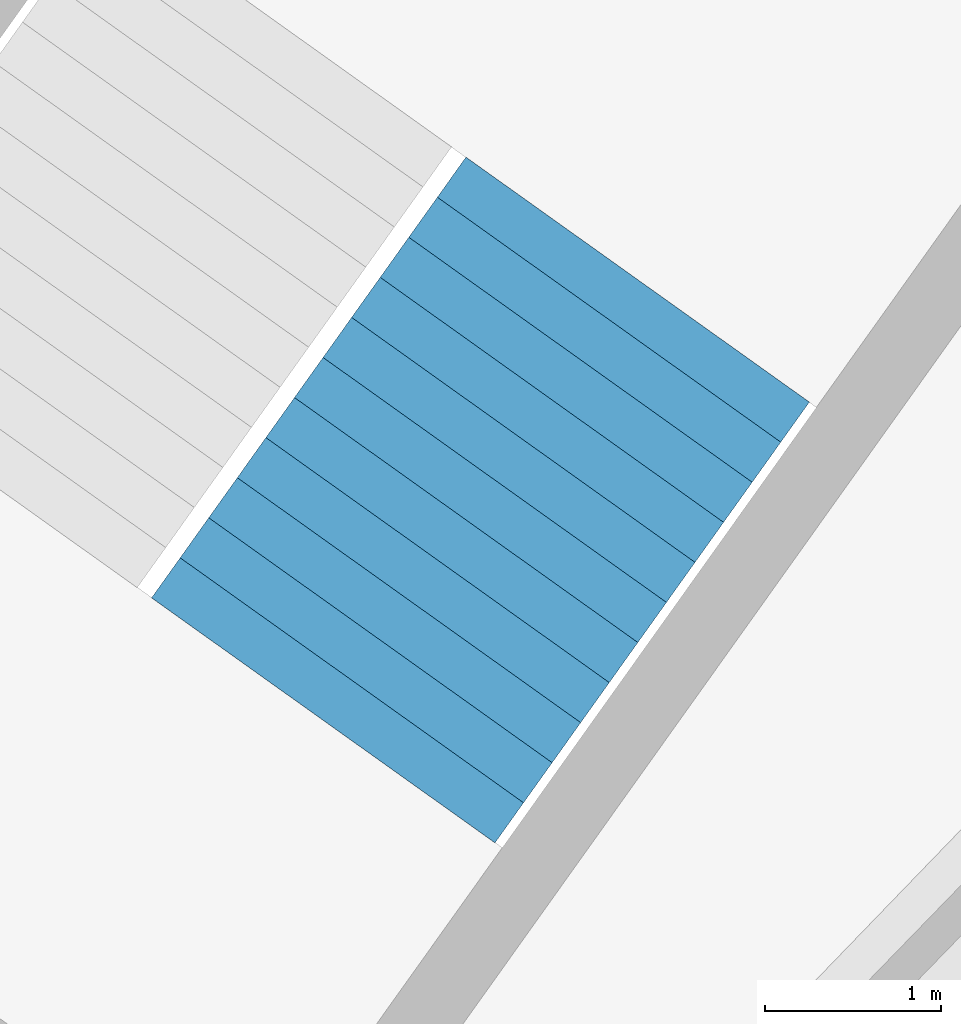
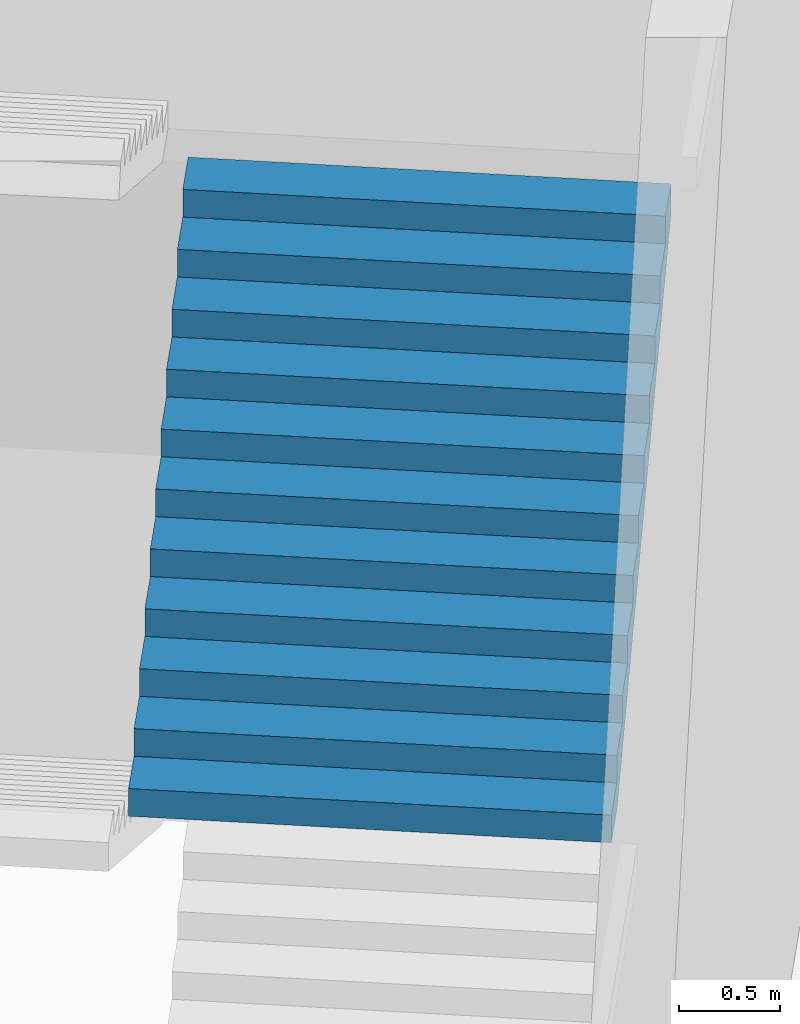
# One storey, part 71 of 74: 1 stair flight, 1 element without a shape of its own.
"""IFC4 building model written with IfcOpenShell, lengths in metres."""

from ifc_helpers import new_model, si_unit, direction, frame, origin, place, context, subcontext, project, spatial, triangles, material, type_object, element, aggregate, save


model = new_model("IFC4")

# Units and contexts
model_context = context("Model", 3, precision=1e-05, world=origin(), true_north=direction((0.0, 1.0)))
body_context = subcontext(model_context, "Body", "Model", "MODEL_VIEW")
ifc_project = project(units=[si_unit("LENGTHUNIT", "METRE"), si_unit("AREAUNIT", "SQUARE_METRE"), si_unit("VOLUMEUNIT", "CUBIC_METRE"), si_unit("PLANEANGLEUNIT", "RADIAN"), si_unit("MASSUNIT", "GRAM", prefix="KILO")], contexts=[model_context])

# Site, building, storey
site_placement = place(None, origin())
site = spatial("IfcSite", under=ifc_project, at=site_placement, CompositionType="ELEMENT")
building_placement = place(site_placement, origin())
building = spatial("IfcBuilding", under=site, at=building_placement, Name="Lantaw Convention Tower", CompositionType="ELEMENT")
storey_placement = place(building_placement, frame((0.0, 0.0, 6.5)))
storey = spatial("IfcBuildingStorey", under=building, at=storey_placement, Name="L01", CompositionType="ELEMENT", Elevation=6.5)

# Stair, stair flight
ifc_material = material(Name="Concrete C35/45", Category="concrete")
stair_type = type_object("IfcStairType", Name="Exit stair 2400 riser 166.67 in 4 flights", PredefinedType="HALF_TURN_STAIR", material=ifc_material)
stair_placement = place(storey_placement, origin())
stair = element("IfcStair", 1, at=stair_placement, inside=storey, type_object=stair_type, Name="Podium exit stair P4 L01", PredefinedType="HALF_TURN_STAIR")
stair_flight_type = type_object("IfcStairFlightType", Name="Stair flight 2400 riser 166.67", PredefinedType="STRAIGHT", material=ifc_material)
stair_flight_placement = place(storey_placement, frame((19.005615234375, 24.4921875, 4.0), z_axis=(0.0, 0.0, 1.0), x_axis=(0.580702955711, 0.814115518356, 0.0)))
stair_flight = element("IfcStairFlight", 2, at=stair_flight_placement, type_object=stair_flight_type, Name="P4 flight 3", NumberOfRisers=12, NumberOfTreads=11, PredefinedType="STRAIGHT", RiserHeight=0.166666667, TreadLength=0.28, context=body_context, shape_type="Tessellation", body=[
    triangles([(0.0, 1.199951171875, 0.0), (0.0, 1.199951171875, 0.166666667), (0.28, 1.199951171875, 0.0), (0.28, 1.199951171875, 0.166666667), (0.28, 1.199951171875, 0.333333334), (0.29307345806906726, 1.199951171875, 0.0), (0.29307345806906726, 1.199951171875, 0.333333334), (0.56, 1.199951171875, 0.15888484670522965), (0.56, 1.199951171875, 0.333333334), (0.56, 1.199951171875, 0.500000001), (0.8400000000000001, 1.199951171875, 0.3255515137052296), (0.8400000000000001, 1.199951171875, 0.500000001), (0.8400000000000001, 1.199951171875, 0.666666668), (1.12, 1.199951171875, 0.4922181807052296), (1.12, 1.199951171875, 0.666666668), (1.12, 1.199951171875, 0.833333335), (1.4000000000000001, 1.199951171875, 0.6588848477052296), (1.4000000000000001, 1.199951171875, 0.833333335), (1.4000000000000001, 1.199951171875, 1.000000002), (1.6800000000000002, 1.199951171875, 0.8255515147052296), (1.6800000000000002, 1.199951171875, 1.000000002), (1.6800000000000002, 1.199951171875, 1.166666669), (1.9600000000000002, 1.199951171875, 0.9922181817052296), (1.9600000000000002, 1.199951171875, 1.166666669), (1.9600000000000002, 1.199951171875, 1.333333336), (2.24, 1.199951171875, 1.1588848487052295), (2.24, 1.199951171875, 1.333333336), (2.24, 1.199951171875, 1.5000000029999998), (2.5200000000000005, 1.199951171875, 1.3255515157052296), (2.5200000000000005, 1.199951171875, 1.5000000029999998), (2.5200000000000005, 1.199951171875, 1.66666667), (2.8000000000000003, 1.199951171875, 1.4922181827052294), (2.8000000000000003, 1.199951171875, 1.66666667), (2.8000000000000003, 1.199951171875, 1.833333337), (3.08, 1.199951171875, 1.6588848497052293), (3.08, 1.199951171875, 1.833333337), (0.0, -1.199951171875, 0.0), (0.0, -1.199951171875, 0.166666667), (0.28, -1.199951171875, 0.0), (0.28, -1.199951171875, 0.166666667), (0.28, -1.199951171875, 0.333333334), (0.29307345806906726, -1.199951171875, 0.0), (0.29307345806906726, -1.199951171875, 0.333333334), (0.56, -1.199951171875, 0.15888484670522965), (0.56, -1.199951171875, 0.333333334), (0.56, -1.199951171875, 0.500000001), (0.8400000000000001, -1.199951171875, 0.3255515137052296), (0.8400000000000001, -1.199951171875, 0.500000001), (0.8400000000000001, -1.199951171875, 0.666666668), (1.12, -1.199951171875, 0.4922181807052296), (1.12, -1.199951171875, 0.666666668), (1.12, -1.199951171875, 0.833333335), (1.4000000000000001, -1.199951171875, 0.6588848477052296), (1.4000000000000001, -1.199951171875, 0.833333335), (1.4000000000000001, -1.199951171875, 1.000000002), (1.6800000000000002, -1.199951171875, 0.8255515147052296), (1.6800000000000002, -1.199951171875, 1.000000002), (1.6800000000000002, -1.199951171875, 1.166666669), (1.9600000000000002, -1.199951171875, 0.9922181817052296), (1.9600000000000002, -1.199951171875, 1.166666669), (1.9600000000000002, -1.199951171875, 1.333333336), (2.24, -1.199951171875, 1.1588848487052295), (2.24, -1.199951171875, 1.333333336), (2.24, -1.199951171875, 1.5000000029999998), (2.5200000000000005, -1.199951171875, 1.3255515157052296), (2.5200000000000005, -1.199951171875, 1.5000000029999998), (2.5200000000000005, -1.199951171875, 1.66666667), (2.8000000000000003, -1.199951171875, 1.4922181827052294), (2.8000000000000003, -1.199951171875, 1.66666667), (2.8000000000000003, -1.199951171875, 1.833333337), (3.08, -1.199951171875, 1.6588848497052293), (3.08, -1.199951171875, 1.833333337), (0.0, 0.239990234375, 0.166666667), (0.0, 0.239990234375, 0.0), (0.0, 0.1199951171875, 0.166666667), (0.0, 0.1199951171875, 0.0), (0.0, 0.0, 0.166666667), (0.0, 0.0, 0.0), (0.0, -0.1199951171875, 0.166666667), (0.0, -0.1199951171875, 0.0), (0.0, -0.239990234375, 0.166666667), (0.0, -0.239990234375, 0.0), (0.28, 0.239990234375, 0.333333334), (0.28, 0.239990234375, 0.166666667), (0.28, 0.1199951171875, 0.333333334), (0.28, 0.1199951171875, 0.166666667), (0.28, 0.0, 0.333333334), (0.28, 0.0, 0.166666667), (0.28, -0.1199951171875, 0.333333334), (0.28, -0.1199951171875, 0.166666667), (0.28, -0.239990234375, 0.333333334), (0.28, -0.239990234375, 0.166666667), (0.56, 0.239990234375, 0.500000001), (0.56, 0.239990234375, 0.333333334), (0.56, 0.1199951171875, 0.500000001), (0.56, 0.1199951171875, 0.333333334), (0.56, 0.0, 0.500000001), (0.56, 0.0, 0.333333334), (0.56, -0.1199951171875, 0.500000001), (0.56, -0.1199951171875, 0.333333334), (0.56, -0.239990234375, 0.500000001), (0.56, -0.239990234375, 0.333333334), (0.8400000000000001, 0.239990234375, 0.666666668), (0.8400000000000001, 0.239990234375, 0.500000001), (0.8400000000000001, 0.1199951171875, 0.666666668), (0.8400000000000001, 0.1199951171875, 0.500000001), (0.8400000000000001, 0.0, 0.666666668), (0.8400000000000001, 0.0, 0.500000001), (0.8400000000000001, -0.1199951171875, 0.666666668), (0.8400000000000001, -0.1199951171875, 0.500000001), (0.8400000000000001, -0.239990234375, 0.666666668), (0.8400000000000001, -0.239990234375, 0.500000001), (1.12, 0.239990234375, 0.833333335), (1.12, 0.239990234375, 0.666666668), (1.12, 0.1199951171875, 0.833333335), (1.12, 0.1199951171875, 0.666666668), (1.12, 0.0, 0.833333335), (1.12, 0.0, 0.666666668), (1.12, -0.1199951171875, 0.833333335), (1.12, -0.1199951171875, 0.666666668), (1.12, -0.239990234375, 0.833333335), (1.12, -0.239990234375, 0.666666668), (1.4000000000000001, 0.239990234375, 1.000000002), (1.4000000000000001, 0.239990234375, 0.833333335), (1.4000000000000001, 0.1199951171875, 1.000000002), (1.4000000000000001, 0.1199951171875, 0.833333335), (1.4000000000000001, 0.0, 1.000000002), (1.4000000000000001, 0.0, 0.833333335), (1.4000000000000001, -0.1199951171875, 1.000000002), (1.4000000000000001, -0.1199951171875, 0.833333335), (1.4000000000000001, -0.239990234375, 1.000000002), (1.4000000000000001, -0.239990234375, 0.833333335), (1.6800000000000002, 0.239990234375, 1.166666669), (1.6800000000000002, 0.239990234375, 1.000000002), (1.6800000000000002, 0.1199951171875, 1.166666669), (1.6800000000000002, 0.1199951171875, 1.000000002), (1.6800000000000002, 0.0, 1.166666669), (1.6800000000000002, 0.0, 1.000000002), (1.6800000000000002, -0.1199951171875, 1.166666669), (1.6800000000000002, -0.1199951171875, 1.000000002), (1.6800000000000002, -0.239990234375, 1.166666669), (1.6800000000000002, -0.239990234375, 1.000000002), (1.9600000000000002, 0.239990234375, 1.333333336), (1.9600000000000002, 0.239990234375, 1.166666669), (1.9600000000000002, 0.1199951171875, 1.333333336), (1.9600000000000002, 0.1199951171875, 1.166666669), (1.9600000000000002, 0.0, 1.333333336), (1.9600000000000002, 0.0, 1.166666669), (1.9600000000000002, -0.1199951171875, 1.333333336), (1.9600000000000002, -0.1199951171875, 1.166666669), (1.9600000000000002, -0.239990234375, 1.333333336), (1.9600000000000002, -0.239990234375, 1.166666669), (2.24, 0.239990234375, 1.5000000029999998), (2.24, 0.239990234375, 1.333333336), (2.24, 0.1199951171875, 1.5000000029999998), (2.24, 0.1199951171875, 1.333333336), (2.24, 0.0, 1.5000000029999998), (2.24, 0.0, 1.333333336), (2.24, -0.1199951171875, 1.5000000029999998), (2.24, -0.1199951171875, 1.333333336), (2.24, -0.239990234375, 1.5000000029999998), (2.24, -0.239990234375, 1.333333336), (2.5200000000000005, 0.239990234375, 1.66666667), (2.5200000000000005, 0.239990234375, 1.5000000029999998), (2.5200000000000005, 0.1199951171875, 1.66666667), (2.5200000000000005, 0.1199951171875, 1.5000000029999998), (2.5200000000000005, 0.0, 1.66666667), (2.5200000000000005, 0.0, 1.5000000029999998), (2.5200000000000005, -0.1199951171875, 1.66666667), (2.5200000000000005, -0.1199951171875, 1.5000000029999998), (2.5200000000000005, -0.239990234375, 1.66666667), (2.5200000000000005, -0.239990234375, 1.5000000029999998), (2.8000000000000003, 0.239990234375, 1.833333337), (2.8000000000000003, 0.239990234375, 1.66666667), (2.8000000000000003, 0.1199951171875, 1.833333337), (2.8000000000000003, 0.1199951171875, 1.66666667), (2.8000000000000003, 0.0, 1.833333337), (2.8000000000000003, 0.0, 1.66666667), (2.8000000000000003, -0.1199951171875, 1.833333337), (2.8000000000000003, -0.1199951171875, 1.66666667), (2.8000000000000003, -0.239990234375, 1.833333337), (2.8000000000000003, -0.239990234375, 1.66666667), (0.29307345806906726, 0.239990234375, 0.333333334), (0.29307345806906726, 0.1199951171875, 0.333333334), (0.29307345806906726, 0.0, 0.333333334), (0.29307345806906726, -0.1199951171875, 0.333333334), (0.29307345806906726, -0.239990234375, 0.333333334), (3.08, 0.239990234375, 1.833333337), (3.08, 0.1199951171875, 1.833333337), (3.08, 0.0, 1.833333337), (3.08, -0.1199951171875, 1.833333337), (3.08, -0.239990234375, 1.833333337), (3.08, 0.239990234375, 1.6588848497052293), (3.08, 0.1199951171875, 1.6588848497052293), (3.08, 0.0, 1.6588848497052293), (3.08, -0.1199951171875, 1.6588848497052293), (3.08, -0.239990234375, 1.6588848497052293), (2.8000000000000003, 0.239990234375, 1.4922181827052294), (2.8000000000000003, 0.1199951171875, 1.4922181827052294), (2.8000000000000003, 0.0, 1.4922181827052294), (2.8000000000000003, -0.1199951171875, 1.4922181827052294), (2.8000000000000003, -0.239990234375, 1.4922181827052294), (2.5200000000000005, 0.239990234375, 1.3255515157052296), (2.5200000000000005, 0.1199951171875, 1.3255515157052296), (2.5200000000000005, 0.0, 1.3255515157052296), (2.5200000000000005, -0.1199951171875, 1.3255515157052296), (2.5200000000000005, -0.239990234375, 1.3255515157052296), (2.24, 0.239990234375, 1.1588848487052295), (2.24, 0.1199951171875, 1.1588848487052295), (2.24, 0.0, 1.1588848487052295), (2.24, -0.1199951171875, 1.1588848487052295), (2.24, -0.239990234375, 1.1588848487052295), (1.9600000000000002, 0.239990234375, 0.9922181817052296), (1.9600000000000002, 0.1199951171875, 0.9922181817052296), (1.9600000000000002, 0.0, 0.9922181817052296), (1.9600000000000002, -0.1199951171875, 0.9922181817052296), (1.9600000000000002, -0.239990234375, 0.9922181817052296), (1.6800000000000002, 0.239990234375, 0.8255515147052296), (1.6800000000000002, 0.1199951171875, 0.8255515147052296), (1.6800000000000002, 0.0, 0.8255515147052296), (1.6800000000000002, -0.1199951171875, 0.8255515147052296), (1.6800000000000002, -0.239990234375, 0.8255515147052296), (1.4000000000000001, 0.239990234375, 0.6588848477052296), (1.4000000000000001, 0.1199951171875, 0.6588848477052296), (1.4000000000000001, 0.0, 0.6588848477052296), (1.4000000000000001, -0.1199951171875, 0.6588848477052296), (1.4000000000000001, -0.239990234375, 0.6588848477052296), (1.12, 0.239990234375, 0.4922181807052296), (1.12, 0.1199951171875, 0.4922181807052296), (1.12, 0.0, 0.4922181807052296), (1.12, -0.1199951171875, 0.4922181807052296), (1.12, -0.239990234375, 0.4922181807052296), (0.8400000000000001, 0.239990234375, 0.3255515137052296), (0.8400000000000001, 0.1199951171875, 0.3255515137052296), (0.8400000000000001, 0.0, 0.3255515137052296), (0.8400000000000001, -0.1199951171875, 0.3255515137052296), (0.8400000000000001, -0.239990234375, 0.3255515137052296), (0.56, 0.239990234375, 0.15888484670522965), (0.56, 0.1199951171875, 0.15888484670522965), (0.56, 0.0, 0.15888484670522965), (0.56, -0.1199951171875, 0.15888484670522965), (0.56, -0.239990234375, 0.15888484670522965), (0.29307345806906726, 0.239990234375, 0.0), (0.29307345806906726, 0.1199951171875, 0.0), (0.29307345806906726, 0.0, 0.0), (0.29307345806906726, -0.1199951171875, 0.0), (0.29307345806906726, -0.239990234375, 0.0), (0.28, 0.239990234375, 0.0), (0.28, 0.1199951171875, 0.0), (0.28, 0.0, 0.0), (0.28, -0.1199951171875, 0.0), (0.28, -0.239990234375, 0.0)], [[1, 4, 3], [1, 2, 4], [3, 4, 6], [4, 7, 6], [4, 5, 7], [6, 9, 8], [6, 7, 9], [8, 9, 11], [9, 12, 11], [9, 10, 12], [11, 12, 14], [12, 15, 14], [12, 13, 15], [14, 15, 17], [15, 18, 17], [15, 16, 18], [17, 18, 20], [18, 21, 20], [18, 19, 21], [20, 21, 23], [21, 24, 23], [21, 22, 24], [23, 24, 26], [24, 27, 26], [24, 25, 27], [26, 27, 29], [27, 30, 29], [27, 28, 30], [29, 30, 32], [30, 33, 32], [30, 31, 33], [32, 33, 35], [33, 36, 35], [33, 34, 36], [37, 39, 40], [37, 40, 38], [39, 42, 40], [40, 42, 43], [40, 43, 41], [42, 44, 45], [42, 45, 43], [44, 47, 45], [45, 47, 48], [45, 48, 46], [47, 50, 48], [48, 50, 51], [48, 51, 49], [50, 53, 51], [51, 53, 54], [51, 54, 52], [53, 56, 54], [54, 56, 57], [54, 57, 55], [56, 59, 57], [57, 59, 60], [57, 60, 58], [59, 62, 60], [60, 62, 63], [60, 63, 61], [62, 65, 63], [63, 65, 66], [63, 66, 64], [65, 68, 66], [66, 68, 69], [66, 69, 67], [68, 71, 69], [69, 71, 72], [69, 72, 70], [1, 73, 2], [1, 74, 73], [74, 75, 73], [74, 76, 75], [76, 77, 75], [76, 78, 77], [78, 79, 77], [78, 80, 79], [80, 81, 79], [80, 82, 81], [82, 38, 81], [82, 37, 38], [4, 83, 5], [4, 84, 83], [84, 85, 83], [84, 86, 85], [86, 87, 85], [86, 88, 87], [88, 89, 87], [88, 90, 89], [90, 91, 89], [90, 92, 91], [92, 41, 91], [92, 40, 41], [9, 93, 10], [9, 94, 93], [94, 95, 93], [94, 96, 95], [96, 97, 95], [96, 98, 97], [98, 99, 97], [98, 100, 99], [100, 101, 99], [100, 102, 101], [102, 46, 101], [102, 45, 46], [12, 103, 13], [12, 104, 103], [104, 105, 103], [104, 106, 105], [106, 107, 105], [106, 108, 107], [108, 109, 107], [108, 110, 109], [110, 111, 109], [110, 112, 111], [112, 49, 111], [112, 48, 49], [15, 113, 16], [15, 114, 113], [114, 115, 113], [114, 116, 115], [116, 117, 115], [116, 118, 117], [118, 119, 117], [118, 120, 119], [120, 121, 119], [120, 122, 121], [122, 52, 121], [122, 51, 52], [18, 123, 19], [18, 124, 123], [124, 125, 123], [124, 126, 125], [126, 127, 125], [126, 128, 127], [128, 129, 127], [128, 130, 129], [130, 131, 129], [130, 132, 131], [132, 55, 131], [132, 54, 55], [21, 133, 22], [21, 134, 133], [134, 135, 133], [134, 136, 135], [136, 137, 135], [136, 138, 137], [138, 139, 137], [138, 140, 139], [140, 141, 139], [140, 142, 141], [142, 58, 141], [142, 57, 58], [24, 143, 25], [24, 144, 143], [144, 145, 143], [144, 146, 145], [146, 147, 145], [146, 148, 147], [148, 149, 147], [148, 150, 149], [150, 151, 149], [150, 152, 151], [152, 61, 151], [152, 60, 61], [27, 153, 28], [27, 154, 153], [154, 155, 153], [154, 156, 155], [156, 157, 155], [156, 158, 157], [158, 159, 157], [158, 160, 159], [160, 161, 159], [160, 162, 161], [162, 64, 161], [162, 63, 64], [30, 163, 31], [30, 164, 163], [164, 165, 163], [164, 166, 165], [166, 167, 165], [166, 168, 167], [168, 169, 167], [168, 170, 169], [170, 171, 169], [170, 172, 171], [172, 67, 171], [172, 66, 67], [33, 173, 34], [33, 174, 173], [174, 175, 173], [174, 176, 175], [176, 177, 175], [176, 178, 177], [178, 179, 177], [178, 180, 179], [180, 181, 179], [180, 182, 181], [182, 70, 181], [182, 69, 70], [2, 84, 4], [2, 73, 84], [73, 86, 84], [73, 75, 86], [75, 88, 86], [75, 77, 88], [77, 90, 88], [77, 79, 90], [79, 92, 90], [79, 81, 92], [81, 40, 92], [81, 38, 40], [5, 183, 7], [5, 83, 183], [83, 184, 183], [83, 85, 184], [85, 185, 184], [85, 87, 185], [87, 186, 185], [87, 89, 186], [89, 187, 186], [89, 91, 187], [91, 43, 187], [91, 41, 43], [7, 94, 9], [7, 183, 94], [183, 96, 94], [183, 184, 96], [184, 98, 96], [184, 185, 98], [185, 100, 98], [185, 186, 100], [186, 102, 100], [186, 187, 102], [187, 45, 102], [187, 43, 45], [10, 104, 12], [10, 93, 104], [93, 106, 104], [93, 95, 106], [95, 108, 106], [95, 97, 108], [97, 110, 108], [97, 99, 110], [99, 112, 110], [99, 101, 112], [101, 48, 112], [101, 46, 48], [13, 114, 15], [13, 103, 114], [103, 116, 114], [103, 105, 116], [105, 118, 116], [105, 107, 118], [107, 120, 118], [107, 109, 120], [109, 122, 120], [109, 111, 122], [111, 51, 122], [111, 49, 51], [16, 124, 18], [16, 113, 124], [113, 126, 124], [113, 115, 126], [115, 128, 126], [115, 117, 128], [117, 130, 128], [117, 119, 130], [119, 132, 130], [119, 121, 132], [121, 54, 132], [121, 52, 54], [19, 134, 21], [19, 123, 134], [123, 136, 134], [123, 125, 136], [125, 138, 136], [125, 127, 138], [127, 140, 138], [127, 129, 140], [129, 142, 140], [129, 131, 142], [131, 57, 142], [131, 55, 57], [22, 144, 24], [22, 133, 144], [133, 146, 144], [133, 135, 146], [135, 148, 146], [135, 137, 148], [137, 150, 148], [137, 139, 150], [139, 152, 150], [139, 141, 152], [141, 60, 152], [141, 58, 60], [25, 154, 27], [25, 143, 154], [143, 156, 154], [143, 145, 156], [145, 158, 156], [145, 147, 158], [147, 160, 158], [147, 149, 160], [149, 162, 160], [149, 151, 162], [151, 63, 162], [151, 61, 63], [28, 164, 30], [28, 153, 164], [153, 166, 164], [153, 155, 166], [155, 168, 166], [155, 157, 168], [157, 170, 168], [157, 159, 170], [159, 172, 170], [159, 161, 172], [161, 66, 172], [161, 64, 66], [31, 174, 33], [31, 163, 174], [163, 176, 174], [163, 165, 176], [165, 178, 176], [165, 167, 178], [167, 180, 178], [167, 169, 180], [169, 182, 180], [169, 171, 182], [171, 69, 182], [171, 67, 69], [34, 188, 36], [34, 173, 188], [173, 189, 188], [173, 175, 189], [175, 190, 189], [175, 177, 190], [177, 191, 190], [177, 179, 191], [179, 192, 191], [179, 181, 192], [181, 72, 192], [181, 70, 72], [36, 193, 35], [36, 188, 193], [188, 194, 193], [188, 189, 194], [189, 195, 194], [189, 190, 195], [190, 196, 195], [190, 191, 196], [191, 197, 196], [191, 192, 197], [192, 71, 197], [192, 72, 71], [35, 198, 32], [35, 193, 198], [193, 199, 198], [193, 194, 199], [194, 200, 199], [194, 195, 200], [195, 201, 200], [195, 196, 201], [196, 202, 201], [196, 197, 202], [197, 68, 202], [197, 71, 68], [32, 203, 29], [32, 198, 203], [198, 204, 203], [198, 199, 204], [199, 205, 204], [199, 200, 205], [200, 206, 205], [200, 201, 206], [201, 207, 206], [201, 202, 207], [202, 65, 207], [202, 68, 65], [29, 208, 26], [29, 203, 208], [203, 209, 208], [203, 204, 209], [204, 210, 209], [204, 205, 210], [205, 211, 210], [205, 206, 211], [206, 212, 211], [206, 207, 212], [207, 62, 212], [207, 65, 62], [26, 213, 23], [26, 208, 213], [208, 214, 213], [208, 209, 214], [209, 215, 214], [209, 210, 215], [210, 216, 215], [210, 211, 216], [211, 217, 216], [211, 212, 217], [212, 59, 217], [212, 62, 59], [23, 218, 20], [23, 213, 218], [213, 219, 218], [213, 214, 219], [214, 220, 219], [214, 215, 220], [215, 221, 220], [215, 216, 221], [216, 222, 221], [216, 217, 222], [217, 56, 222], [217, 59, 56], [20, 223, 17], [20, 218, 223], [218, 224, 223], [218, 219, 224], [219, 225, 224], [219, 220, 225], [220, 226, 225], [220, 221, 226], [221, 227, 226], [221, 222, 227], [222, 53, 227], [222, 56, 53], [17, 228, 14], [17, 223, 228], [223, 229, 228], [223, 224, 229], [224, 230, 229], [224, 225, 230], [225, 231, 230], [225, 226, 231], [226, 232, 231], [226, 227, 232], [227, 50, 232], [227, 53, 50], [14, 233, 11], [14, 228, 233], [228, 234, 233], [228, 229, 234], [229, 235, 234], [229, 230, 235], [230, 236, 235], [230, 231, 236], [231, 237, 236], [231, 232, 237], [232, 47, 237], [232, 50, 47], [11, 238, 8], [11, 233, 238], [233, 239, 238], [233, 234, 239], [234, 240, 239], [234, 235, 240], [235, 241, 240], [235, 236, 241], [236, 242, 241], [236, 237, 242], [237, 44, 242], [237, 47, 44], [8, 243, 6], [8, 238, 243], [238, 244, 243], [238, 239, 244], [239, 245, 244], [239, 240, 245], [240, 246, 245], [240, 241, 246], [241, 247, 246], [241, 242, 247], [242, 42, 247], [242, 44, 42], [6, 248, 3], [6, 243, 248], [243, 249, 248], [243, 244, 249], [244, 250, 249], [244, 245, 250], [245, 251, 250], [245, 246, 251], [246, 252, 251], [246, 247, 252], [247, 39, 252], [247, 42, 39], [3, 74, 1], [3, 248, 74], [248, 76, 74], [248, 249, 76], [249, 78, 76], [249, 250, 78], [250, 80, 78], [250, 251, 80], [251, 82, 80], [251, 252, 82], [252, 37, 82], [252, 39, 37]], closed=True),
])
aggregate(stair, [stair_flight])

save(model, "model.ifc")
